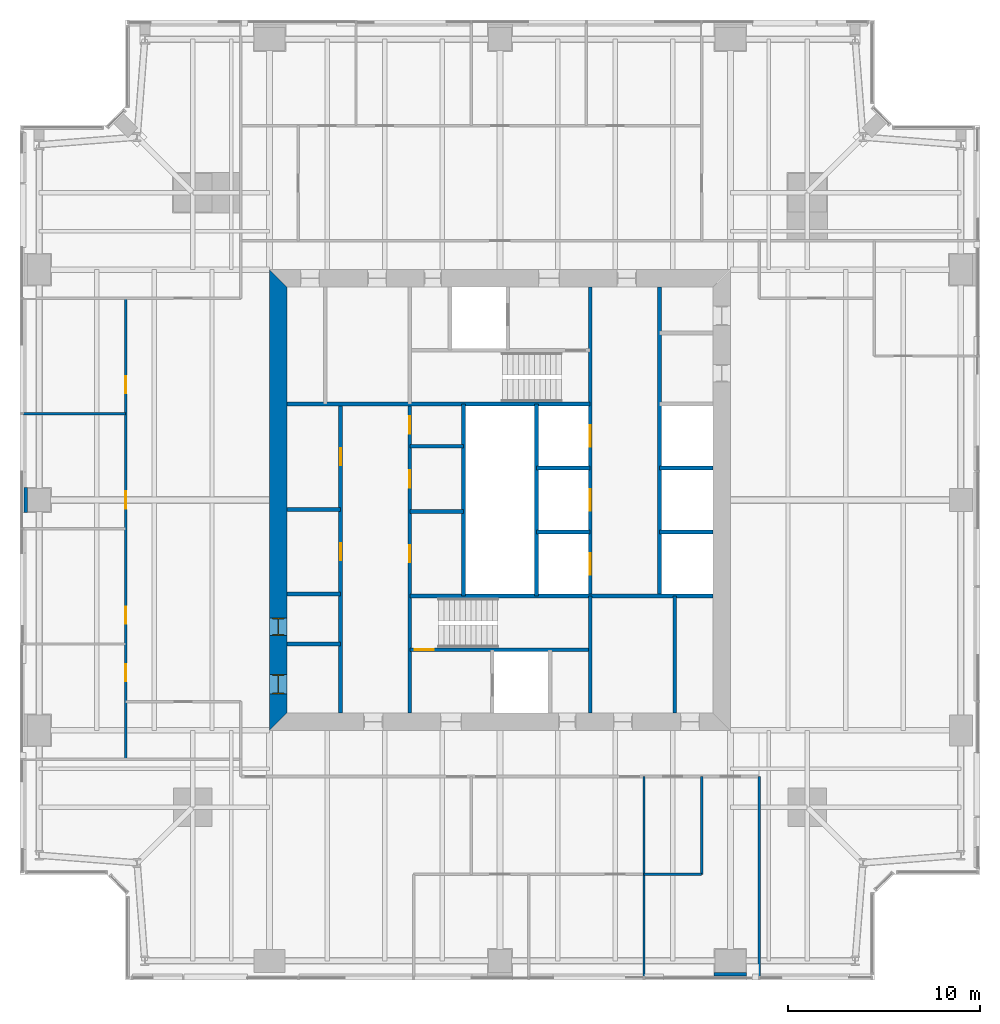
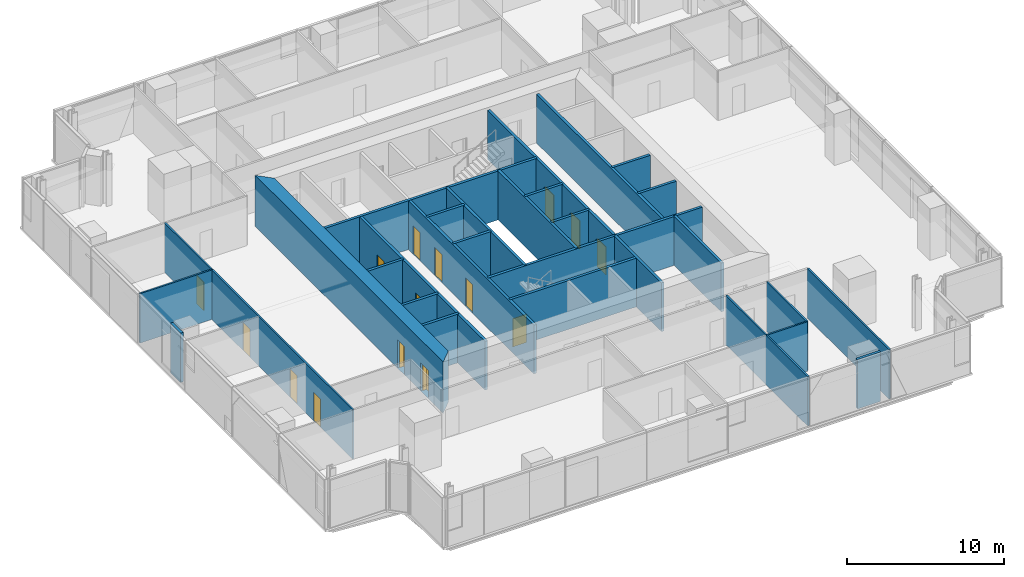
# One storey, part 10 of 14: 29 walls, 15 doors, 15 openings.
"""IFC4 building model written with IfcOpenShell, lengths in metres."""

from ifc_helpers import new_model, si_unit, direction, frame, frame_2d, origin, place, context, subcontext, project, spatial, polyline, rectangle, outline, extrude, material, layer, layer_set, type_object, element, fill, save


model = new_model("IFC4")

# Units and contexts
model_context = context("Model", 3, precision=1e-05, world=origin(), true_north=direction((0.0, 1.0)))
body_context = subcontext(model_context, "Body", "Model", "MODEL_VIEW")
ifc_project = project(units=[si_unit("LENGTHUNIT", "METRE"), si_unit("AREAUNIT", "SQUARE_METRE"), si_unit("VOLUMEUNIT", "CUBIC_METRE"), si_unit("PLANEANGLEUNIT", "RADIAN"), si_unit("MASSUNIT", "GRAM", prefix="KILO")], contexts=[model_context])

# Site, building, storey
site_placement = place(None, origin())
site = spatial("IfcSite", under=ifc_project, at=site_placement, CompositionType="ELEMENT")
building_placement = place(site_placement, origin())
building = spatial("IfcBuilding", under=site, at=building_placement, Name="Fenwick Lantern Interchange", CompositionType="ELEMENT")
storey_placement = place(building_placement, frame((0.0, 0.0, 189.800048828125)))
storey = spatial("IfcBuildingStorey", under=building, at=storey_placement, Name="L44", CompositionType="ELEMENT", Elevation=189.800048828125)

# Walls
ifc_material_1 = material(Name="Fire-rated gypsum board encasement on steel studs, 2 hour", Category="steel")
ifc_layer_1 = layer(ifc_material_1, 1.300048828125)
ifc_layer_set_1 = layer_set([ifc_layer_1], Name="COLUMN PIER 1300")
wall_type_1 = type_object("IfcWallType", Name="COLUMN PIER 1300", PredefinedType="PARTITIONING", material=ifc_layer_set_1)
wall_1_placement = place(storey_placement, frame((0.199951171875, 25.0, 0.0), z_axis=(0.0, 0.0, 1.0), x_axis=(1.0, 0.0, 0.0)))
element("IfcWall", 1, at=wall_1_placement, inside=storey, type_object=wall_type_1, Name="L44/W/PIER/CW3", PredefinedType="PARTITIONING", context=body_context, shape_type="SweptSolid", body=[
    extrude(rectangle(XDim=0.199951171875, YDim=1.300048828125, at=frame_2d((0.10009765625, 0.0))), origin(), (0.0, 0.0, 1.0), 3.849853515625),
])
ifc_layer_2 = layer(ifc_material_1, 1.699951171875)
ifc_layer_set_2 = layer_set([ifc_layer_2], Name="COLUMN PIER 1700")
wall_type_2 = type_object("IfcWallType", Name="COLUMN PIER 1700", PredefinedType="PARTITIONING", material=ifc_layer_set_2)
wall_2_placement = place(storey_placement, frame((37.0, 0.199951171875, 0.0), z_axis=(0.0, 0.0, 1.0), x_axis=(0.0, 1.0, 0.0)))
element("IfcWall", 2, at=wall_2_placement, inside=storey, type_object=wall_type_2, Name="L44/W/PIER/CS4", PredefinedType="PARTITIONING", context=body_context, shape_type="SweptSolid", body=[
    extrude(rectangle(XDim=0.199951171875, YDim=1.699951171875, at=frame_2d((0.10009765625, 0.0))), origin(), (0.0, 0.0, 1.0), 3.849853515625),
])

# Wall, openings, doors
ifc_material_2 = material(Name="Concrete masonry ASTM C90 Grade N", Category="masonry")
ifc_layer_3 = layer(ifc_material_2, 0.199951171875)
ifc_layer_set_3 = layer_set([ifc_layer_3], Name="Concrete masonry ASTM C90 Grade N")
wall_type_3 = type_object("IfcWallType", Name="CORE PARTITION 200", PredefinedType="PARTITIONING", material=ifc_layer_set_3)
wall_3_placement = place(storey_placement, frame((16.699951171875, 13.89990234375, 0.0), z_axis=(0.0, 0.0, 1.0), x_axis=(0.0, 1.0, 0.0)))
wall_3 = element("IfcWall", 3, at=wall_3_placement, inside=storey, type_object=wall_type_3, Name="L44/W/CORES/a", PredefinedType="PARTITIONING", context=body_context, shape_type="SweptSolid", body=[
    extrude(rectangle(XDim=16.10009765625, YDim=0.199951171875, at=frame_2d((8.050048828125, 0.0))), origin(), (0.0, 0.0, 1.0), 3.800048828125),
])
opening_1_placement = place(wall_3_placement, frame((7.949951171875, 0.0, 0.0)))
opening_1 = element("IfcOpeningElement", 4, at=opening_1_placement, cuts=wall_3, Name="Opening L44-D009", PredefinedType="OPENING", context=body_context, shape_type="SweptSolid", body=[
    extrude(rectangle(XDim=0.89990234375, YDim=2.199951171875, at=frame_2d((0.449951171875, 1.10009765625))), frame((0.0, 0.10986328125, 0.0), z_axis=(0.0, -1.0, 0.0), x_axis=(1.0, 0.0, 0.0)), (0.0, 0.0, 1.0), 0.219970703125),
])
opening_2_placement = place(wall_3_placement, frame((12.89990234375, 0.0, 0.0)))
opening_2 = element("IfcOpeningElement", 5, at=opening_2_placement, cuts=wall_3, Name="Opening L44-D010", PredefinedType="OPENING", context=body_context, shape_type="SweptSolid", body=[
    extrude(rectangle(XDim=0.89990234375, YDim=2.199951171875, at=frame_2d((0.449951171875, 1.10009765625))), frame((0.0, 0.10986328125, 0.0), z_axis=(0.0, -1.0, 0.0), x_axis=(1.0, 0.0, 0.0)), (0.0, 0.0, 1.0), 0.219970703125),
])
ifc_material_3 = material(Name="Steel door and frame", Category="steel")
door_type_1 = type_object("IfcDoorType", Name="SERVICE DOOR 900 X 2200", OperationType="SINGLE_SWING_LEFT", PredefinedType="DOOR", material=ifc_material_3)
door_1_placement = place(opening_1_placement, origin())
door_1 = element("IfcDoor", 6, at=door_1_placement, inside=storey, type_object=door_type_1, Name="Service door", OperationType="SINGLE_SWING_LEFT", OverallHeight=2.199951171875, OverallWidth=0.89990234375, PredefinedType="DOOR", context=body_context, shape_type="SweptSolid", body=[
    extrude(rectangle(XDim=0.89990234375, YDim=2.199951171875, at=frame_2d((0.449951171875, 1.10009765625))), frame((0.0, 0.02490234375, 0.0), z_axis=(0.0, -1.0, 0.0), x_axis=(1.0, 0.0, 0.0)), (0.0, 0.0, 1.0), 0.050048828125),
])
fill(opening_1, door_1)
door_2_placement = place(opening_2_placement, origin())
door_2 = element("IfcDoor", 7, at=door_2_placement, inside=storey, type_object=door_type_1, Name="Service door", OperationType="SINGLE_SWING_LEFT", OverallHeight=2.199951171875, OverallWidth=0.89990234375, PredefinedType="DOOR", context=body_context, shape_type="SweptSolid", body=[
    extrude(rectangle(XDim=0.89990234375, YDim=2.199951171875, at=frame_2d((0.449951171875, 1.10009765625))), frame((0.0, 0.02490234375, 0.0), z_axis=(0.0, -1.0, 0.0), x_axis=(1.0, 0.0, 0.0)), (0.0, 0.0, 1.0), 0.050048828125),
])
fill(opening_2, door_2)

# Walls
wall_4_placement = place(storey_placement, frame((23.10009765625, 20.0, 0.0), z_axis=(0.0, 0.0, 1.0), x_axis=(0.0, 1.0, 0.0)))
element("IfcWall", 8, at=wall_4_placement, inside=storey, type_object=wall_type_3, Name="L44/W/CORES/e3", PredefinedType="PARTITIONING", context=body_context, shape_type="SweptSolid", body=[
    extrude(rectangle(XDim=10.0, YDim=0.199951171875, at=frame_2d((5.0, 0.0))), origin(), (0.0, 0.0, 1.0), 3.800048828125),
])
wall_5_placement = place(storey_placement, frame((34.10009765625, 13.89990234375, 0.0), z_axis=(0.0, 0.0, 1.0), x_axis=(0.0, 1.0, 0.0)))
element("IfcWall", 9, at=wall_5_placement, inside=storey, type_object=wall_type_3, Name="L44/W/CORES/i2", PredefinedType="PARTITIONING", context=body_context, shape_type="SweptSolid", body=[
    extrude(rectangle(XDim=6.10009765625, YDim=0.199951171875, at=frame_2d((3.050048828125, 0.0))), origin(), (0.0, 0.0, 1.0), 3.800048828125),
])
for number, where, z_axis, x_axis, name in (
    (10, (13.89990234375, 17.5, 0.0), (0.0, 0.0, 1.0), (1.0, 0.0, 0.0), "L44/W/CORES/p1"),
    (11, (13.89990234375, 20.10009765625, 0.0), (0.0, 0.0, 1.0), (1.0, 0.0, 0.0), "L44/W/CORES/p2"),
    (12, (13.89990234375, 24.5, 0.0), (0.0, 0.0, 1.0), (1.0, 0.0, 0.0), "L44/W/CORES/p3"),
    (13, (20.300048828125, 24.39990234375, 0.0), (0.0, 0.0, 1.0), (1.0, 0.0, 0.0), "L44/W/CORES/q1"),
    (14, (20.300048828125, 27.800048828125, 0.0), (0.0, 0.0, 1.0), (1.0, 0.0, 0.0), "L44/W/CORES/q2"),
):
    element("IfcWall", number, at=place(storey_placement, frame(where, z_axis=z_axis, x_axis=x_axis)), inside=storey, type_object=wall_type_3, Name=name, PredefinedType="PARTITIONING", context=body_context, shape_type="SweptSolid", body=[
        extrude(rectangle(XDim=2.800048828125, YDim=0.199951171875, at=frame_2d((1.39990234375, 0.0))), origin(), (0.0, 0.0, 1.0), 3.800048828125),
    ])
wall_6_placement = place(storey_placement, frame((33.300048828125, 36.10009765625, 0.0), z_axis=(0.0, 0.0, 1.0), x_axis=(0.0, -1.0, 0.0)))
element("IfcWall", 15, at=wall_6_placement, inside=storey, type_object=wall_type_3, Name="L44/W/COREN/a", PredefinedType="PARTITIONING", context=body_context, shape_type="SweptSolid", body=[
    extrude(rectangle(XDim=16.10009765625, YDim=0.199951171875, at=frame_2d((8.050048828125, 0.0))), origin(), (0.0, 0.0, 1.0), 3.800048828125),
])
for number, where, z_axis, x_axis, name in (
    (16, (36.10009765625, 26.666748046875, 0.0), (0.0, 0.0, 1.0), (-1.0, 0.0, 0.0), "L44/W/COREN/d1"),
    (17, (36.10009765625, 23.333251953125, 0.0), (0.0, 0.0, 1.0), (-1.0, 0.0, 0.0), "L44/W/COREN/d2"),
    (18, (29.699951171875, 26.666748046875, 0.0), (0.0, 0.0, 1.0), (-1.0, 0.0, 0.0), "L44/W/COREN/e1"),
    (19, (29.699951171875, 23.333251953125, 0.0), (0.0, 0.0, 1.0), (-1.0, 0.0, 0.0), "L44/W/COREN/e2"),
):
    element("IfcWall", number, at=place(storey_placement, frame(where, z_axis=z_axis, x_axis=x_axis)), inside=storey, type_object=wall_type_3, Name=name, PredefinedType="PARTITIONING", context=body_context, shape_type="SweptSolid", body=[
        extrude(rectangle(XDim=2.800048828125, YDim=0.199951171875, at=frame_2d((1.39990234375, 0.0))), origin(), (0.0, 0.0, 1.0), 3.800048828125),
    ])
wall_7_placement = place(storey_placement, frame((26.89990234375, 30.0, 0.0), z_axis=(0.0, 0.0, 1.0), x_axis=(0.0, -1.0, 0.0)))
element("IfcWall", 20, at=wall_7_placement, inside=storey, type_object=wall_type_3, Name="L44/W/COREN/e3", PredefinedType="PARTITIONING", context=body_context, shape_type="SweptSolid", body=[
    extrude(rectangle(XDim=10.0, YDim=0.199951171875, at=frame_2d((5.0, 0.0))), origin(), (0.0, 0.0, 1.0), 3.800048828125),
])

# Wall, openings, doors
ifc_material_4 = material(Name="Concrete f'c 70 MPa", Category="concrete")
ifc_layer_4 = layer(ifc_material_4, 0.89990234375)
ifc_layer_set_4 = layer_set([ifc_layer_4], Name="CORE WALL 900")
wall_type_4 = type_object("IfcWallType", Name="CORE WALL 900", PredefinedType="SHEAR", material=ifc_layer_set_4)
wall_8_placement = place(storey_placement, frame((13.449951171875, 36.10009765625, 0.0), z_axis=(0.0, 0.0, 1.0), x_axis=(0.0, -1.0, 0.0)))
wall_8 = element("IfcWall", 21, at=wall_8_placement, inside=storey, type_object=wall_type_4, Name="L44/CORE/W", PredefinedType="SHEAR", context=body_context, shape_type="SweptSolid", body=[
    extrude(outline(polyline([(-0.89990234375, -0.449951171875), (23.10009765625, -0.449951171875), (22.199951171875, 0.449951171875), (0.0, 0.449951171875), (-0.89990234375, -0.449951171875)])), origin(), (0.0, 0.0, 1.0), 4.0),
])
opening_3_placement = place(wall_8_placement, frame((20.199951171875, 0.0, 0.0)))
opening_3 = element("IfcOpeningElement", 22, at=opening_3_placement, cuts=wall_8, Name="Opening L44-D007", PredefinedType="OPENING", context=body_context, shape_type="SweptSolid", body=[
    extrude(rectangle(XDim=1.0, YDim=2.199951171875, at=frame_2d((0.5, 1.10009765625))), frame((0.0, 0.4599609375, 0.0), z_axis=(0.0, -1.0, 0.0), x_axis=(1.0, 0.0, 0.0)), (0.0, 0.0, 1.0), 0.919921875),
])
opening_4_placement = place(wall_8_placement, frame((17.25, 0.0, 0.0)))
opening_4 = element("IfcOpeningElement", 23, at=opening_4_placement, cuts=wall_8, Name="Opening L44-D008", PredefinedType="OPENING", context=body_context, shape_type="SweptSolid", body=[
    extrude(rectangle(XDim=0.89990234375, YDim=2.199951171875, at=frame_2d((0.449951171875, 1.10009765625))), frame((0.0, 0.4599609375, 0.0), z_axis=(0.0, -1.0, 0.0), x_axis=(1.0, 0.0, 0.0)), (0.0, 0.0, 1.0), 0.919921875),
])
door_3_placement = place(opening_4_placement, origin())
door_3 = element("IfcDoor", 24, at=door_3_placement, inside=storey, type_object=door_type_1, Name="Service door", OperationType="SINGLE_SWING_RIGHT", OverallHeight=2.199951171875, OverallWidth=0.89990234375, PredefinedType="DOOR", context=body_context, shape_type="SweptSolid", body=[
    extrude(rectangle(XDim=0.89990234375, YDim=2.199951171875, at=frame_2d((0.449951171875, 1.10009765625))), frame((0.0, 0.02490234375, 0.0), z_axis=(0.0, -1.0, 0.0), x_axis=(1.0, 0.0, 0.0)), (0.0, 0.0, 1.0), 0.050048828125),
    extrude(outline(polyline([(0.0, 0.0), (0.0400390625, 0.0), (0.0400390625, 2.159912109375), (0.85986328125, 2.159912109375), (0.85986328125, 0.0), (0.89990234375, 0.0), (0.89990234375, 2.199951171875), (0.0, 2.199951171875), (0.0, 0.0)])), frame((0.0, 0.300048828125, 0.0), z_axis=(0.0, -1.0, 0.0), x_axis=(1.0, 0.0, 0.0)), (0.0, 0.0, 1.0), 0.60009765625),
])
fill(opening_4, door_3)
ifc_material_5 = material(Name="Hardwood door and steel frame", Category="steel")
door_type_2 = type_object("IfcDoorType", Name="WC DOOR 1000 X 2200", OperationType="SINGLE_SWING_LEFT", PredefinedType="DOOR", material=ifc_material_5)
door_4_placement = place(opening_3_placement, origin())
door_4 = element("IfcDoor", 25, at=door_4_placement, inside=storey, type_object=door_type_2, Name="Wc door", OperationType="SINGLE_SWING_RIGHT", OverallHeight=2.199951171875, OverallWidth=1.0, PredefinedType="DOOR", context=body_context, shape_type="SweptSolid", body=[
    extrude(rectangle(XDim=1.0, YDim=2.199951171875, at=frame_2d((0.5, 1.10009765625))), frame((0.0, 0.02490234375, 0.0), z_axis=(0.0, -1.0, 0.0), x_axis=(1.0, 0.0, 0.0)), (0.0, 0.0, 1.0), 0.050048828125),
    extrude(outline(polyline([(0.0, 0.0), (0.0400390625, 0.0), (0.0400390625, 2.159912109375), (0.9599609375, 2.159912109375), (0.9599609375, 0.0), (1.0, 0.0), (1.0, 2.199951171875), (0.0, 2.199951171875), (0.0, 0.0)])), frame((0.0, 0.300048828125, 0.0), z_axis=(0.0, -1.0, 0.0), x_axis=(1.0, 0.0, 0.0)), (0.0, 0.0, 1.0), 0.60009765625),
])
fill(opening_3, door_4)

# Walls
ifc_material_6 = material(Name="Gypsum board on steel studs, acoustic", Category="steel")
ifc_layer_5 = layer(ifc_material_6, 0.125)
ifc_layer_set_5 = layer_set([ifc_layer_5], Name="OFFICE PARTITION 125")
wall_type_5 = type_object("IfcWallType", Name="OFFICE PARTITION 125", PredefinedType="PARTITIONING", material=ifc_layer_set_5)
wall_9_placement = place(storey_placement, frame((32.5, 0.14990234375, 0.0), z_axis=(0.0, 0.0, 1.0), x_axis=(0.0, 1.0, 0.0)))
element("IfcWall", 26, at=wall_9_placement, inside=storey, type_object=wall_type_5, Name="L44/W/OFF/S/X325-1", PredefinedType="PARTITIONING", context=body_context, shape_type="SweptSolid", body=[
    extrude(rectangle(XDim=10.4501953125, YDim=0.125, at=frame_2d((5.22509765625, 0.0))), origin(), (0.0, 0.0, 1.0), 3.849853515625),
])
wall_10_placement = place(storey_placement, frame((35.5, 5.5, 0.0), z_axis=(0.0, 0.0, 1.0), x_axis=(0.0, 1.0, 0.0)))
element("IfcWall", 27, at=wall_10_placement, inside=storey, type_object=wall_type_5, Name="L44/W/OFF/S/X355-1", PredefinedType="PARTITIONING", context=body_context, shape_type="SweptSolid", body=[
    extrude(rectangle(XDim=5.10009765625, YDim=0.125, at=frame_2d((2.550048828125, 0.0))), origin(), (0.0, 0.0, 1.0), 3.849853515625),
])
wall_11_placement = place(storey_placement, frame((32.5, 5.5, 0.0), z_axis=(0.0, 0.0, 1.0), x_axis=(1.0, 0.0, 0.0)))
element("IfcWall", 28, at=wall_11_placement, inside=storey, type_object=wall_type_5, Name="L44/W/OFF/S/Y55-2", PredefinedType="PARTITIONING", context=body_context, shape_type="SweptSolid", body=[
    extrude(rectangle(XDim=3.0, YDim=0.125, at=frame_2d((1.5, 0.0))), origin(), (0.0, 0.0, 1.0), 3.849853515625),
])
wall_12_placement = place(storey_placement, frame((38.5, 0.14990234375, 0.0), z_axis=(0.0, 0.0, 1.0), x_axis=(0.0, 1.0, 0.0)))
element("IfcWall", 29, at=wall_12_placement, inside=storey, type_object=wall_type_5, Name="L44/W/OFF/E/BACK", PredefinedType="PARTITIONING", context=body_context, shape_type="SweptSolid", body=[
    extrude(rectangle(XDim=10.4501953125, YDim=0.125, at=frame_2d((5.22509765625, 0.0))), origin(), (0.0, 0.0, 1.0), 3.849853515625),
])
wall_13_placement = place(storey_placement, frame((0.14990234375, 29.5, 0.0), z_axis=(0.0, 0.0, 1.0), x_axis=(1.0, 0.0, 0.0)))
element("IfcWall", 30, at=wall_13_placement, inside=storey, type_object=wall_type_5, Name="L44/W/OFF/W/X205-1", PredefinedType="PARTITIONING", context=body_context, shape_type="SweptSolid", body=[
    extrude(rectangle(XDim=5.35009765625, YDim=0.125, at=frame_2d((2.675048828125, 0.0))), origin(), (0.0, 0.0, 1.0), 3.849853515625),
])

# Wall, openings, doors
wall_14_placement = place(storey_placement, frame((5.5, 35.5, 0.0), z_axis=(0.0, 0.0, 1.0), x_axis=(0.0, -1.0, 0.0)))
wall_14 = element("IfcWall", 31, at=wall_14_placement, inside=storey, type_object=wall_type_5, Name="L44/W/OFF/W/Y55-1", PredefinedType="PARTITIONING", context=body_context, shape_type="SweptSolid", body=[
    extrude(rectangle(XDim=24.0, YDim=0.125, at=frame_2d((12.0, 0.0))), origin(), (0.0, 0.0, 1.0), 3.849853515625),
])
opening_5_placement = place(wall_14_placement, frame((4.050048828125, 0.0, 0.0)))
opening_5 = element("IfcOpeningElement", 32, at=opening_5_placement, cuts=wall_14, Name="Opening L44-D040", PredefinedType="OPENING", context=body_context, shape_type="SweptSolid", body=[
    extrude(rectangle(XDim=0.89990234375, YDim=2.199951171875, at=frame_2d((0.449951171875, 1.10009765625))), frame((0.0, 0.072509765625, 0.0), z_axis=(0.0, -1.0, 0.0), x_axis=(1.0, 0.0, 0.0)), (0.0, 0.0, 1.0), 0.14501953125),
])
opening_6_placement = place(wall_14_placement, frame((10.050048828125, 0.0, 0.0)))
opening_6 = element("IfcOpeningElement", 33, at=opening_6_placement, cuts=wall_14, Name="Opening L44-D041", PredefinedType="OPENING", context=body_context, shape_type="SweptSolid", body=[
    extrude(rectangle(XDim=0.89990234375, YDim=2.199951171875, at=frame_2d((0.449951171875, 1.10009765625))), frame((0.0, 0.072509765625, 0.0), z_axis=(0.0, -1.0, 0.0), x_axis=(1.0, 0.0, 0.0)), (0.0, 0.0, 1.0), 0.14501953125),
])
opening_7_placement = place(wall_14_placement, frame((16.050048828125, 0.0, 0.0)))
opening_7 = element("IfcOpeningElement", 34, at=opening_7_placement, cuts=wall_14, Name="Opening L44-D042", PredefinedType="OPENING", context=body_context, shape_type="SweptSolid", body=[
    extrude(rectangle(XDim=0.89990234375, YDim=2.199951171875, at=frame_2d((0.449951171875, 1.10009765625))), frame((0.0, 0.072509765625, 0.0), z_axis=(0.0, -1.0, 0.0), x_axis=(1.0, 0.0, 0.0)), (0.0, 0.0, 1.0), 0.14501953125),
])
opening_8_placement = place(wall_14_placement, frame((19.050048828125, 0.0, 0.0)))
opening_8 = element("IfcOpeningElement", 35, at=opening_8_placement, cuts=wall_14, Name="Opening L44-D043", PredefinedType="OPENING", context=body_context, shape_type="SweptSolid", body=[
    extrude(rectangle(XDim=0.89990234375, YDim=2.199951171875, at=frame_2d((0.449951171875, 1.10009765625))), frame((0.0, 0.072509765625, 0.0), z_axis=(0.0, -1.0, 0.0), x_axis=(1.0, 0.0, 0.0)), (0.0, 0.0, 1.0), 0.14501953125),
])
door_type_3 = type_object("IfcDoorType", Name="OFFICE DOOR 900 X 2200", OperationType="SINGLE_SWING_LEFT", PredefinedType="DOOR", material=ifc_material_5)
door_5_placement = place(opening_5_placement, frame((0.89990234375, 0.0, 0.0), z_axis=(0.0, 0.0, 1.0), x_axis=(-1.0, 0.0, 0.0)))
door_5 = element("IfcDoor", 36, at=door_5_placement, inside=storey, type_object=door_type_3, Name="Office door", OperationType="SINGLE_SWING_LEFT", OverallHeight=2.199951171875, OverallWidth=0.89990234375, PredefinedType="DOOR", context=body_context, shape_type="SweptSolid", body=[
    extrude(rectangle(XDim=0.89990234375, YDim=2.199951171875, at=frame_2d((0.449951171875, 1.10009765625))), frame((0.0, 0.02490234375, 0.0), z_axis=(0.0, -1.0, 0.0), x_axis=(1.0, 0.0, 0.0)), (0.0, 0.0, 1.0), 0.050048828125),
])
fill(opening_5, door_5)
door_6_placement = place(opening_6_placement, frame((0.89990234375, 0.0, 0.0), z_axis=(0.0, 0.0, 1.0), x_axis=(-1.0, 0.0, 0.0)))
door_6 = element("IfcDoor", 37, at=door_6_placement, inside=storey, type_object=door_type_3, Name="Office door", OperationType="SINGLE_SWING_LEFT", OverallHeight=2.199951171875, OverallWidth=0.89990234375, PredefinedType="DOOR", context=body_context, shape_type="SweptSolid", body=[
    extrude(rectangle(XDim=0.89990234375, YDim=2.199951171875, at=frame_2d((0.449951171875, 1.10009765625))), frame((0.0, 0.02490234375, 0.0), z_axis=(0.0, -1.0, 0.0), x_axis=(1.0, 0.0, 0.0)), (0.0, 0.0, 1.0), 0.050048828125),
])
fill(opening_6, door_6)
door_7_placement = place(opening_7_placement, frame((0.89990234375, 0.0, 0.0), z_axis=(0.0, 0.0, 1.0), x_axis=(-1.0, 0.0, 0.0)))
door_7 = element("IfcDoor", 38, at=door_7_placement, inside=storey, type_object=door_type_3, Name="Office door", OperationType="SINGLE_SWING_LEFT", OverallHeight=2.199951171875, OverallWidth=0.89990234375, PredefinedType="DOOR", context=body_context, shape_type="SweptSolid", body=[
    extrude(rectangle(XDim=0.89990234375, YDim=2.199951171875, at=frame_2d((0.449951171875, 1.10009765625))), frame((0.0, 0.02490234375, 0.0), z_axis=(0.0, -1.0, 0.0), x_axis=(1.0, 0.0, 0.0)), (0.0, 0.0, 1.0), 0.050048828125),
])
fill(opening_7, door_7)
door_8_placement = place(opening_8_placement, frame((0.89990234375, 0.0, 0.0), z_axis=(0.0, 0.0, 1.0), x_axis=(-1.0, 0.0, 0.0)))
door_8 = element("IfcDoor", 39, at=door_8_placement, inside=storey, type_object=door_type_3, Name="Office door", OperationType="SINGLE_SWING_RIGHT", OverallHeight=2.199951171875, OverallWidth=0.89990234375, PredefinedType="DOOR", context=body_context, shape_type="SweptSolid", body=[
    extrude(rectangle(XDim=0.89990234375, YDim=2.199951171875, at=frame_2d((0.449951171875, 1.10009765625))), frame((0.0, 0.02490234375, 0.0), z_axis=(0.0, -1.0, 0.0), x_axis=(1.0, 0.0, 0.0)), (0.0, 0.0, 1.0), 0.050048828125),
])
fill(opening_8, door_8)

ifc_material_7 = material(Name="Concrete f'c 45 MPa", Category="concrete")
ifc_layer_6 = layer(ifc_material_7, 0.199951171875)
ifc_layer_set_6 = layer_set([ifc_layer_6], Name="STAIR CORE WALL 200")
wall_type_6 = type_object("IfcWallType", Name="STAIR CORE WALL 200", PredefinedType="SOLIDWALL", material=ifc_layer_set_6)
wall_15_placement = place(storey_placement, frame((20.300048828125, 13.89990234375, 0.0), z_axis=(0.0, 0.0, 1.0), x_axis=(0.0, 1.0, 0.0)))
wall_15 = element("IfcWall", 40, at=wall_15_placement, inside=storey, type_object=wall_type_6, Name="L44/W/CORES/b", PredefinedType="SOLIDWALL", context=body_context, shape_type="SweptSolid", body=[
    extrude(rectangle(XDim=16.10009765625, YDim=0.199951171875, at=frame_2d((8.050048828125, 0.0))), origin(), (0.0, 0.0, 1.0), 3.800048828125),
])
opening_9_placement = place(wall_15_placement, frame((7.85009765625, 0.0, 0.0)))
opening_9 = element("IfcOpeningElement", 41, at=opening_9_placement, cuts=wall_15, Name="Opening L44-D011", PredefinedType="OPENING", context=body_context, shape_type="SweptSolid", body=[
    extrude(rectangle(XDim=0.89990234375, YDim=2.199951171875, at=frame_2d((0.449951171875, 1.10009765625))), frame((0.0, 0.10986328125, 0.0), z_axis=(0.0, -1.0, 0.0), x_axis=(1.0, 0.0, 0.0)), (0.0, 0.0, 1.0), 0.219970703125),
])
opening_10_placement = place(wall_15_placement, frame((11.75, 0.0, 0.0)))
opening_10 = element("IfcOpeningElement", 42, at=opening_10_placement, cuts=wall_15, Name="Opening L44-D012", PredefinedType="OPENING", context=body_context, shape_type="SweptSolid", body=[
    extrude(rectangle(XDim=0.89990234375, YDim=2.199951171875, at=frame_2d((0.449951171875, 1.10009765625))), frame((0.0, 0.10986328125, 0.0), z_axis=(0.0, -1.0, 0.0), x_axis=(1.0, 0.0, 0.0)), (0.0, 0.0, 1.0), 0.219970703125),
])
opening_11_placement = place(wall_15_placement, frame((14.550048828125, 0.0, 0.0)))
opening_11 = element("IfcOpeningElement", 43, at=opening_11_placement, cuts=wall_15, Name="Opening L44-D013", PredefinedType="OPENING", context=body_context, shape_type="SweptSolid", body=[
    extrude(rectangle(XDim=0.89990234375, YDim=2.199951171875, at=frame_2d((0.449951171875, 1.10009765625))), frame((0.0, 0.10986328125, 0.0), z_axis=(0.0, -1.0, 0.0), x_axis=(1.0, 0.0, 0.0)), (0.0, 0.0, 1.0), 0.219970703125),
])
door_9_placement = place(opening_9_placement, frame((0.89990234375, 0.0, 0.0), z_axis=(0.0, 0.0, 1.0), x_axis=(-1.0, 0.0, 0.0)))
door_9 = element("IfcDoor", 44, at=door_9_placement, inside=storey, type_object=door_type_1, Name="Service door", OperationType="SINGLE_SWING_RIGHT", OverallHeight=2.199951171875, OverallWidth=0.89990234375, PredefinedType="DOOR", context=body_context, shape_type="SweptSolid", body=[
    extrude(rectangle(XDim=0.89990234375, YDim=2.199951171875, at=frame_2d((0.449951171875, 1.10009765625))), frame((0.0, 0.02490234375, 0.0), z_axis=(0.0, -1.0, 0.0), x_axis=(1.0, 0.0, 0.0)), (0.0, 0.0, 1.0), 0.050048828125),
])
fill(opening_9, door_9)
door_10_placement = place(opening_10_placement, frame((0.89990234375, 0.0, 0.0), z_axis=(0.0, 0.0, 1.0), x_axis=(-1.0, 0.0, 0.0)))
door_10 = element("IfcDoor", 45, at=door_10_placement, inside=storey, type_object=door_type_1, Name="Service door", OperationType="SINGLE_SWING_RIGHT", OverallHeight=2.199951171875, OverallWidth=0.89990234375, PredefinedType="DOOR", context=body_context, shape_type="SweptSolid", body=[
    extrude(rectangle(XDim=0.89990234375, YDim=2.199951171875, at=frame_2d((0.449951171875, 1.10009765625))), frame((0.0, 0.02490234375, 0.0), z_axis=(0.0, -1.0, 0.0), x_axis=(1.0, 0.0, 0.0)), (0.0, 0.0, 1.0), 0.050048828125),
])
fill(opening_10, door_10)
door_11_placement = place(opening_11_placement, frame((0.89990234375, 0.0, 0.0), z_axis=(0.0, 0.0, 1.0), x_axis=(-1.0, 0.0, 0.0)))
door_11 = element("IfcDoor", 46, at=door_11_placement, inside=storey, type_object=door_type_1, Name="Service door", OperationType="SINGLE_SWING_RIGHT", OverallHeight=2.199951171875, OverallWidth=0.89990234375, PredefinedType="DOOR", context=body_context, shape_type="SweptSolid", body=[
    extrude(rectangle(XDim=0.89990234375, YDim=2.199951171875, at=frame_2d((0.449951171875, 1.10009765625))), frame((0.0, 0.02490234375, 0.0), z_axis=(0.0, -1.0, 0.0), x_axis=(1.0, 0.0, 0.0)), (0.0, 0.0, 1.0), 0.050048828125),
])
fill(opening_11, door_11)

# Wall, opening, door
wall_16_placement = place(storey_placement, frame((20.300048828125, 17.199951171875, 0.0), z_axis=(0.0, 0.0, 1.0), x_axis=(1.0, 0.0, 0.0)))
wall_16 = element("IfcWall", 47, at=wall_16_placement, inside=storey, type_object=wall_type_6, Name="L44/W/CORES/g1", PredefinedType="SOLIDWALL", context=body_context, shape_type="SweptSolid", body=[
    extrude(rectangle(XDim=9.39990234375, YDim=0.199951171875, at=frame_2d((4.699951171875, 0.0))), origin(), (0.0, 0.0, 1.0), 3.800048828125),
])
opening_12_placement = place(wall_16_placement, frame((0.25, 0.0, 0.0)))
opening_12 = element("IfcOpeningElement", 48, at=opening_12_placement, cuts=wall_16, Name="Opening L44-D003", PredefinedType="OPENING", context=body_context, shape_type="SweptSolid", body=[
    extrude(rectangle(XDim=1.0, YDim=2.199951171875, at=frame_2d((0.5, 1.10009765625))), frame((0.0, 0.10986328125, 0.0), z_axis=(0.0, -1.0, 0.0), x_axis=(1.0, 0.0, 0.0)), (0.0, 0.0, 1.0), 0.219970703125),
])
door_type_4 = type_object("IfcDoorType", Name="STAIR DOOR 1000 X 2200", OperationType="SINGLE_SWING_LEFT", PredefinedType="DOOR", material=ifc_material_3)
door_12_placement = place(opening_12_placement, origin())
door_12 = element("IfcDoor", 49, at=door_12_placement, inside=storey, type_object=door_type_4, Name="Stair door", OperationType="SINGLE_SWING_LEFT", OverallHeight=2.199951171875, OverallWidth=1.0, PredefinedType="DOOR", context=body_context, shape_type="SweptSolid", body=[
    extrude(rectangle(XDim=1.0, YDim=2.199951171875, at=frame_2d((0.5, 1.10009765625))), frame((0.0, 0.02490234375, 0.0), z_axis=(0.0, -1.0, 0.0), x_axis=(1.0, 0.0, 0.0)), (0.0, 0.0, 1.0), 0.050048828125),
])
fill(opening_12, door_12)

# Walls
wall_17_placement = place(storey_placement, frame((20.300048828125, 20.0, 0.0), z_axis=(0.0, 0.0, 1.0), x_axis=(1.0, 0.0, 0.0)))
element("IfcWall", 50, at=wall_17_placement, inside=storey, type_object=wall_type_6, Name="L44/W/CORES/g2", PredefinedType="SOLIDWALL", context=body_context, shape_type="SweptSolid", body=[
    extrude(rectangle(XDim=15.800048828125, YDim=0.199951171875, at=frame_2d((7.89990234375, 0.0))), origin(), (0.0, 0.0, 1.0), 3.800048828125),
])
wall_18_placement = place(storey_placement, frame((29.699951171875, 13.89990234375, 0.0), z_axis=(0.0, 0.0, 1.0), x_axis=(0.0, 1.0, 0.0)))
element("IfcWall", 51, at=wall_18_placement, inside=storey, type_object=wall_type_6, Name="L44/W/CORES/i1", PredefinedType="SOLIDWALL", context=body_context, shape_type="SweptSolid", body=[
    extrude(rectangle(XDim=6.10009765625, YDim=0.199951171875, at=frame_2d((3.050048828125, 0.0))), origin(), (0.0, 0.0, 1.0), 3.800048828125),
])

# Wall, openings, doors
wall_19_placement = place(storey_placement, frame((29.699951171875, 36.10009765625, 0.0), z_axis=(0.0, 0.0, 1.0), x_axis=(0.0, -1.0, 0.0)))
wall_19 = element("IfcWall", 52, at=wall_19_placement, inside=storey, type_object=wall_type_6, Name="L44/W/COREN/b", PredefinedType="SOLIDWALL", context=body_context, shape_type="SweptSolid", body=[
    extrude(rectangle(XDim=16.10009765625, YDim=0.199951171875, at=frame_2d((8.050048828125, 0.0))), origin(), (0.0, 0.0, 1.0), 3.800048828125),
])
opening_13_placement = place(wall_19_placement, frame((7.216552734375, 0.0, 0.0)))
opening_13 = element("IfcOpeningElement", 53, at=opening_13_placement, cuts=wall_19, Name="Opening LD-E2-1", PredefinedType="OPENING", context=body_context, shape_type="SweptSolid", body=[
    extrude(rectangle(XDim=1.10009765625, YDim=2.199951171875, at=frame_2d((0.550048828125, 1.10009765625))), frame((0.0, 0.10986328125, 0.0), z_axis=(0.0, -1.0, 0.0), x_axis=(1.0, 0.0, 0.0)), (0.0, 0.0, 1.0), 0.219970703125),
])
opening_14_placement = place(wall_19_placement, frame((10.550048828125, 0.0, 0.0)))
opening_14 = element("IfcOpeningElement", 54, at=opening_14_placement, cuts=wall_19, Name="Opening LD-E2-2", PredefinedType="OPENING", context=body_context, shape_type="SweptSolid", body=[
    extrude(rectangle(XDim=1.10009765625, YDim=2.199951171875, at=frame_2d((0.550048828125, 1.10009765625))), frame((0.0, 0.10986328125, 0.0), z_axis=(0.0, -1.0, 0.0), x_axis=(1.0, 0.0, 0.0)), (0.0, 0.0, 1.0), 0.219970703125),
])
opening_15_placement = place(wall_19_placement, frame((13.88330078125, 0.0, 0.0)))
opening_15 = element("IfcOpeningElement", 55, at=opening_15_placement, cuts=wall_19, Name="Opening LD-E2-3", PredefinedType="OPENING", context=body_context, shape_type="SweptSolid", body=[
    extrude(rectangle(XDim=1.10009765625, YDim=2.199951171875, at=frame_2d((0.550048828125, 1.10009765625))), frame((0.0, 0.10986328125, 0.0), z_axis=(0.0, -1.0, 0.0), x_axis=(1.0, 0.0, 0.0)), (0.0, 0.0, 1.0), 0.219970703125),
])
door_type_5 = type_object("IfcDoorType", Name="LIFT LANDING DOOR 1100 X 2200", OperationType="DOUBLE_DOOR_SLIDING", PredefinedType="DOOR", material=ifc_material_3)
door_13_placement = place(opening_13_placement, origin())
door_13 = element("IfcDoor", 56, at=door_13_placement, inside=storey, type_object=door_type_5, Name="Lift landing door E2-1", OperationType="DOUBLE_DOOR_SLIDING", OverallHeight=2.199951171875, OverallWidth=1.10009765625, PredefinedType="DOOR", context=body_context, shape_type="SweptSolid", body=[
    extrude(rectangle(XDim=1.10009765625, YDim=2.199951171875, at=frame_2d((0.550048828125, 1.10009765625))), frame((0.0, 0.02490234375, 0.0), z_axis=(0.0, -1.0, 0.0), x_axis=(1.0, 0.0, 0.0)), (0.0, 0.0, 1.0), 0.050048828125),
])
fill(opening_13, door_13)
door_14_placement = place(opening_14_placement, origin())
door_14 = element("IfcDoor", 57, at=door_14_placement, inside=storey, type_object=door_type_5, Name="Lift landing door E2-2", OperationType="DOUBLE_DOOR_SLIDING", OverallHeight=2.199951171875, OverallWidth=1.10009765625, PredefinedType="DOOR", context=body_context, shape_type="SweptSolid", body=[
    extrude(rectangle(XDim=1.10009765625, YDim=2.199951171875, at=frame_2d((0.550048828125, 1.10009765625))), frame((0.0, 0.02490234375, 0.0), z_axis=(0.0, -1.0, 0.0), x_axis=(1.0, 0.0, 0.0)), (0.0, 0.0, 1.0), 0.050048828125),
])
fill(opening_14, door_14)
door_15_placement = place(opening_15_placement, origin())
door_15 = element("IfcDoor", 58, at=door_15_placement, inside=storey, type_object=door_type_5, Name="Lift landing door E2-3", OperationType="DOUBLE_DOOR_SLIDING", OverallHeight=2.199951171875, OverallWidth=1.10009765625, PredefinedType="DOOR", context=body_context, shape_type="SweptSolid", body=[
    extrude(rectangle(XDim=1.10009765625, YDim=2.199951171875, at=frame_2d((0.550048828125, 1.10009765625))), frame((0.0, 0.02490234375, 0.0), z_axis=(0.0, -1.0, 0.0), x_axis=(1.0, 0.0, 0.0)), (0.0, 0.0, 1.0), 0.050048828125),
])
fill(opening_15, door_15)

# Wall
wall_20_placement = place(storey_placement, frame((29.699951171875, 30.0, 0.0), z_axis=(0.0, 0.0, 1.0), x_axis=(-1.0, 0.0, 0.0)))
element("IfcWall", 59, at=wall_20_placement, inside=storey, type_object=wall_type_6, Name="L44/W/COREN/g2", PredefinedType="SOLIDWALL", context=body_context, shape_type="SweptSolid", body=[
    extrude(rectangle(XDim=15.800048828125, YDim=0.199951171875, at=frame_2d((7.89990234375, 0.0))), origin(), (0.0, 0.0, 1.0), 3.800048828125),
])

save(model, "model.ifc")
